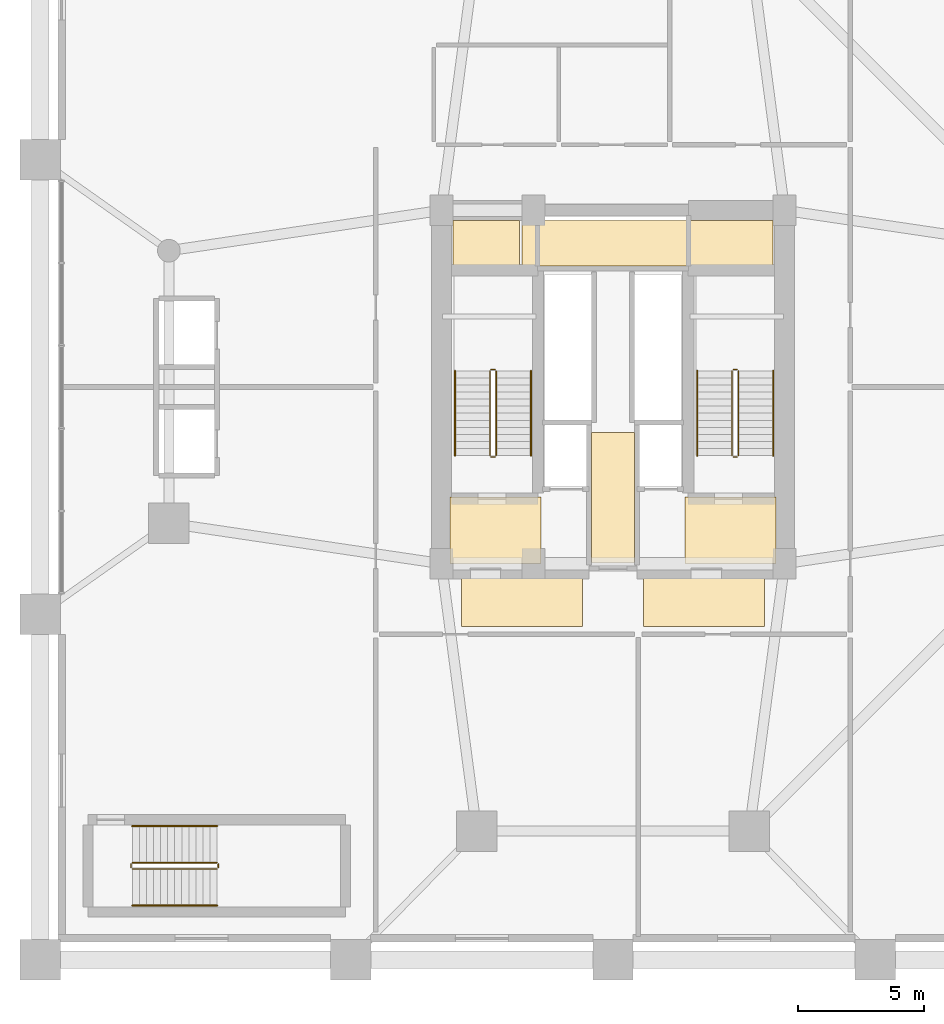
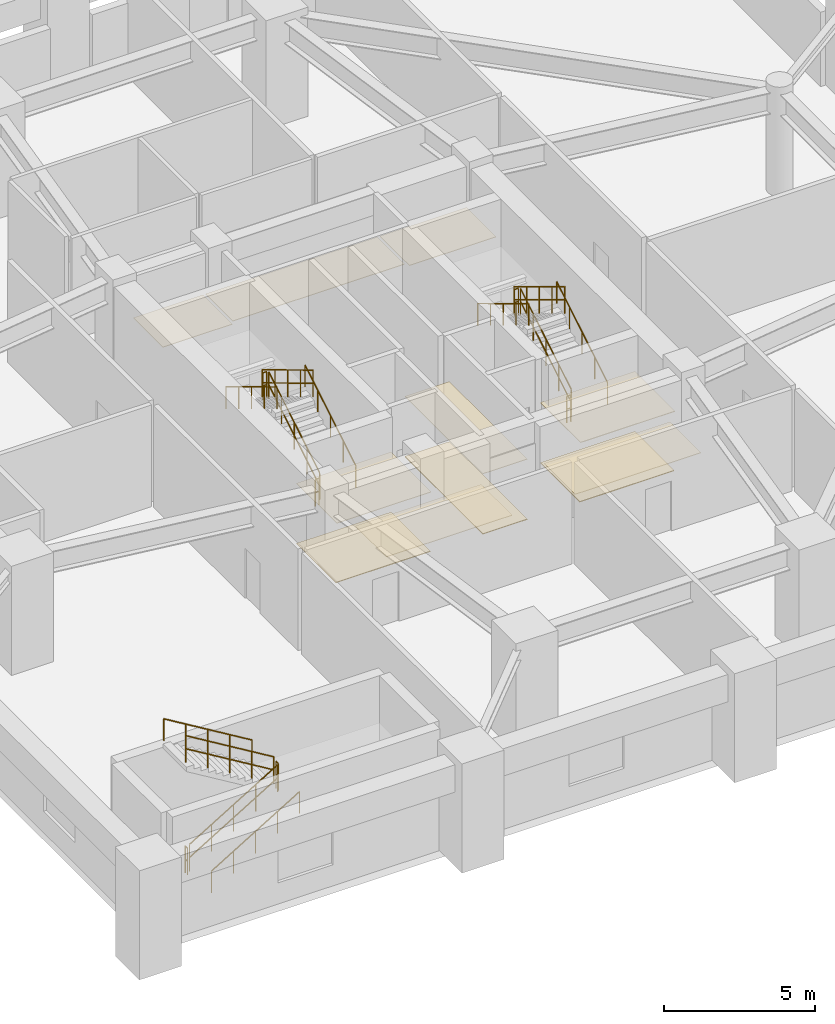
# One storey, part 19 of 22: 18 railings, 11 coverings.
"""IFC4 building model written with IfcOpenShell, lengths in metres."""

from ifc_helpers import new_model, si_unit, direction, frame, origin, origin_2d, place, context, subcontext, project, spatial, polyline, circle, outline, extrude, material, layer, layer_set, type_object, element, save


model = new_model("IFC4")

# Units and contexts
model_context = context("Model", 3, precision=1e-05, world=origin(), true_north=direction((0.0, 1.0)))
body_context = subcontext(model_context, "Body", "Model", "MODEL_VIEW")
ifc_project = project(units=[si_unit("LENGTHUNIT", "METRE"), si_unit("AREAUNIT", "SQUARE_METRE"), si_unit("VOLUMEUNIT", "CUBIC_METRE"), si_unit("PLANEANGLEUNIT", "RADIAN"), si_unit("MASSUNIT", "GRAM", prefix="KILO")], contexts=[model_context])

# Site, building, storey
site_placement = place(None, origin())
site = spatial("IfcSite", under=ifc_project, at=site_placement, CompositionType="ELEMENT")
building_placement = place(site_placement, origin())
building = spatial("IfcBuilding", under=site, at=building_placement, Name="Veraguas Prism Commons", CompositionType="ELEMENT")
storey_placement = place(building_placement, frame((0.0, 0.0, 5.199951171875)))
storey = spatial("IfcBuildingStorey", under=building, at=storey_placement, Name="L01", CompositionType="ELEMENT", Elevation=5.199951171875)

# Coverings
ifc_material_1 = material(Name="Acoustic gypsum board")
ifc_layer_1 = layer(ifc_material_1, 0.02490234375, Name="Perforated Acoustic Ceiling Tile 25")
ifc_layer_set_1 = layer_set([ifc_layer_1], Name="Acoustic gypsum board")
covering_type_1 = type_object("IfcCoveringType", Name="Perforated Acoustic Ceiling Tile 25", PredefinedType="USERDEFINED", material=ifc_layer_set_1)
covering_1_placement = place(storey_placement, frame((0.0, 0.0, 2.425048828125)))
element("IfcCovering", 1, at=covering_1_placement, inside=storey, type_object=covering_type_1, Name="East Lobby Acoustic Ceiling L01", ObjectType="ACOUSTIC CEILING", PredefinedType="USERDEFINED", context=body_context, shape_type="SweptSolid", body=[
    extrude(outline(polyline([(26.85009765625, 17.0), (30.449951171875, 17.0), (30.449951171875, 19.64990234375), (26.85009765625, 19.64990234375), (26.85009765625, 17.0)])), origin(), (0.0, 0.0, 1.0), 0.02490234375),
])
ifc_material_2 = material(Name="Terrazzo stone finish", Category="masonry")
ifc_layer_2 = layer(ifc_material_2, 0.030029296875, Name="Polished Terrazzo Floor Finish 30", Category="masonry")
ifc_layer_set_2 = layer_set([ifc_layer_2], Name="Terrazzo stone finish")
covering_type_2 = type_object("IfcCoveringType", Name="Polished Terrazzo Floor Finish 30", PredefinedType="FLOORING", material=ifc_layer_set_2)
covering_2_placement = place(storey_placement, origin())
element("IfcCovering", 2, at=covering_2_placement, inside=storey, type_object=covering_type_2, Name="Terrazzo Lobby Flooring L01", PredefinedType="FLOORING", context=body_context, shape_type="SweptSolid", body=[
    extrude(outline(polyline([(23.14990234375, 17.050048828125), (24.85009765625, 17.050048828125), (24.85009765625, 22.199951171875), (23.14990234375, 22.199951171875), (23.14990234375, 17.050048828125)])), origin(), (0.0, 0.0, 1.0), 0.030029296875),
])
covering_3_placement = place(storey_placement, origin())
element("IfcCovering", 3, at=covering_3_placement, inside=storey, type_object=covering_type_2, Name="West FF Lobby Terrazzo Flooring L01", PredefinedType="FLOORING", context=body_context, shape_type="SweptSolid", body=[
    extrude(outline(polyline([(17.550048828125, 17.050048828125), (21.14990234375, 17.050048828125), (21.14990234375, 19.64990234375), (17.550048828125, 19.64990234375), (17.550048828125, 17.050048828125)])), origin(), (0.0, 0.0, 1.0), 0.030029296875),
])
covering_4_placement = place(storey_placement, origin())
element("IfcCovering", 4, at=covering_4_placement, inside=storey, type_object=covering_type_2, Name="East FF Lobby Terrazzo Flooring L01", PredefinedType="FLOORING", context=body_context, shape_type="SweptSolid", body=[
    extrude(outline(polyline([(26.85009765625, 17.050048828125), (30.449951171875, 17.050048828125), (30.449951171875, 19.64990234375), (26.85009765625, 19.64990234375), (26.85009765625, 17.050048828125)])), origin(), (0.0, 0.0, 1.0), 0.030029296875),
])

# Railings
ifc_material_3 = material(Name="Stainless steel AISI 316", Category="steel")
railing_type_1 = type_object("IfcRailingType", Name="Stair and Ramp Stainless Handrail 900", PredefinedType="HANDRAIL", material=ifc_material_3)
railing_1_placement = place(storey_placement, frame((20.75, 21.280029296875, 0.169189453125)))
element("IfcRailing", 5, at=railing_1_placement, inside=storey, type_object=railing_type_1, Name="Stair Handrail ST-01 L01-1", PredefinedType="HANDRAIL", context=body_context, shape_type="SweptSolid", body=[
    extrude(circle(Radius=0.02392578125, at=origin_2d()), frame((0.0, 0.0, 0.8759765625), z_axis=(0.0, 0.855820338506, 0.51727318527), x_axis=(-1.0, 0.0, 0.0)), (0.0, 0.0, 1.0), 3.92578125),
    extrude(circle(Radius=0.02099609375, at=origin_2d()), origin(), (0.0, 0.0, 1.0), 0.851806640625),
    extrude(circle(Radius=0.02099609375, at=origin_2d()), frame((0.0, 0.83984375, 0.5078125)), (0.0, 0.0, 1.0), 0.851806640625),
    extrude(circle(Radius=0.02099609375, at=origin_2d()), frame((0.0, 1.679931640625, 1.015380859375)), (0.0, 0.0, 1.0), 0.851806640625),
    extrude(circle(Radius=0.02099609375, at=origin_2d()), frame((0.0, 2.52001953125, 1.52294921875)), (0.0, 0.0, 1.0), 0.851806640625),
    extrude(circle(Radius=0.02099609375, at=origin_2d()), frame((0.0, 3.35986328125, 2.03076171875)), (0.0, 0.0, 1.0), 0.851806640625),
])
railing_2_placement = place(storey_placement, frame((17.739990234375, 24.639892578125, 2.369384765625)))
element("IfcRailing", 6, at=railing_2_placement, inside=storey, type_object=railing_type_1, Name="Stair Handrail ST-01 L01-2", PredefinedType="HANDRAIL", context=body_context, shape_type="SweptSolid", body=[
    extrude(circle(Radius=0.02392578125, at=origin_2d()), frame((0.0, 0.0, 0.8759765625), z_axis=(0.0, -0.855820338506, 0.51727318527), x_axis=(1.0, 0.0, 0.0)), (0.0, 0.0, 1.0), 3.92578125),
    extrude(circle(Radius=0.02099609375, at=origin_2d()), origin(), (0.0, 0.0, 1.0), 0.851806640625),
    extrude(circle(Radius=0.02099609375, at=origin_2d()), frame((0.0, -0.83984375, 0.5078125)), (0.0, 0.0, 1.0), 0.851806640625),
    extrude(circle(Radius=0.02099609375, at=origin_2d()), frame((0.0, -1.679931640625, 1.015380859375)), (0.0, 0.0, 1.0), 0.851806640625),
    extrude(circle(Radius=0.02099609375, at=origin_2d()), frame((0.0, -2.52001953125, 1.52294921875)), (0.0, 0.0, 1.0), 0.851806640625),
    extrude(circle(Radius=0.02099609375, at=origin_2d()), frame((0.0, -3.35986328125, 2.03076171875)), (0.0, 0.0, 1.0), 0.851806640625),
])
railing_3_placement = place(storey_placement, frame((30.35009765625, 21.280029296875, 0.169189453125)))
element("IfcRailing", 7, at=railing_3_placement, inside=storey, type_object=railing_type_1, Name="Stair Handrail ST-02 L01-1", PredefinedType="HANDRAIL", context=body_context, shape_type="SweptSolid", body=[
    extrude(circle(Radius=0.02392578125, at=origin_2d()), frame((0.0, 0.0, 0.8759765625), z_axis=(0.0, 0.855820338506, 0.51727318527), x_axis=(-1.0, 0.0, 0.0)), (0.0, 0.0, 1.0), 3.92578125),
    extrude(circle(Radius=0.02099609375, at=origin_2d()), origin(), (0.0, 0.0, 1.0), 0.851806640625),
    extrude(circle(Radius=0.02099609375, at=origin_2d()), frame((0.0, 0.83984375, 0.5078125)), (0.0, 0.0, 1.0), 0.851806640625),
    extrude(circle(Radius=0.02099609375, at=origin_2d()), frame((0.0, 1.679931640625, 1.015380859375)), (0.0, 0.0, 1.0), 0.851806640625),
    extrude(circle(Radius=0.02099609375, at=origin_2d()), frame((0.0, 2.52001953125, 1.52294921875)), (0.0, 0.0, 1.0), 0.851806640625),
    extrude(circle(Radius=0.02099609375, at=origin_2d()), frame((0.0, 3.35986328125, 2.03076171875)), (0.0, 0.0, 1.0), 0.851806640625),
])
railing_4_placement = place(storey_placement, frame((27.340087890625, 24.639892578125, 2.369384765625)))
element("IfcRailing", 8, at=railing_4_placement, inside=storey, type_object=railing_type_1, Name="Stair Handrail ST-02 L01-2", PredefinedType="HANDRAIL", context=body_context, shape_type="SweptSolid", body=[
    extrude(circle(Radius=0.02392578125, at=origin_2d()), frame((0.0, 0.0, 0.8759765625), z_axis=(0.0, -0.855820338506, 0.51727318527), x_axis=(1.0, 0.0, 0.0)), (0.0, 0.0, 1.0), 3.92578125),
    extrude(circle(Radius=0.02099609375, at=origin_2d()), origin(), (0.0, 0.0, 1.0), 0.851806640625),
    extrude(circle(Radius=0.02099609375, at=origin_2d()), frame((0.0, -0.83984375, 0.5078125)), (0.0, 0.0, 1.0), 0.851806640625),
    extrude(circle(Radius=0.02099609375, at=origin_2d()), frame((0.0, -1.679931640625, 1.015380859375)), (0.0, 0.0, 1.0), 0.851806640625),
    extrude(circle(Radius=0.02099609375, at=origin_2d()), frame((0.0, -2.52001953125, 1.52294921875)), (0.0, 0.0, 1.0), 0.851806640625),
    extrude(circle(Radius=0.02099609375, at=origin_2d()), frame((0.0, -3.35986328125, 2.03076171875)), (0.0, 0.0, 1.0), 0.851806640625),
])
railing_5_placement = place(storey_placement, frame((4.949951171875, 3.449951171875, 0.169189453125)))
element("IfcRailing", 9, at=railing_5_placement, inside=storey, type_object=railing_type_1, Name="Stair Handrail ST-M1 L01-1", PredefinedType="HANDRAIL", context=body_context, shape_type="SweptSolid", body=[
    extrude(circle(Radius=0.02392578125, at=origin_2d()), frame((0.0, 0.0, 0.8759765625), z_axis=(0.855836976705, 0.0, 0.517245656632), x_axis=(0.0, 1.0, 0.0)), (0.0, 0.0, 1.0), 3.926025390625),
    extrude(circle(Radius=0.02099609375, at=origin_2d()), origin(), (0.0, 0.0, 1.0), 0.851806640625),
    extrude(circle(Radius=0.02099609375, at=origin_2d()), frame((0.840087890625, 0.0, 0.5078125)), (0.0, 0.0, 1.0), 0.851806640625),
    extrude(circle(Radius=0.02099609375, at=origin_2d()), frame((1.68017578125, 0.0, 1.015380859375)), (0.0, 0.0, 1.0), 0.851806640625),
    extrude(circle(Radius=0.02099609375, at=origin_2d()), frame((2.52001953125, 0.0, 1.52294921875)), (0.0, 0.0, 1.0), 0.851806640625),
    extrude(circle(Radius=0.02099609375, at=origin_2d()), frame((3.360107421875, 0.0, 2.03076171875)), (0.0, 0.0, 1.0), 0.851806640625),
])
railing_6_placement = place(storey_placement, frame((8.31005859375, 6.60009765625, 2.369384765625)))
element("IfcRailing", 10, at=railing_6_placement, inside=storey, type_object=railing_type_1, Name="Stair Handrail ST-M1 L01-2", PredefinedType="HANDRAIL", context=body_context, shape_type="SweptSolid", body=[
    extrude(circle(Radius=0.02392578125, at=origin_2d()), frame((0.0, 0.0, 0.8759765625), z_axis=(-0.855836976705, 0.0, 0.517245656632), x_axis=(0.0, -1.0, 0.0)), (0.0, 0.0, 1.0), 3.926025390625),
    extrude(circle(Radius=0.02099609375, at=origin_2d()), origin(), (0.0, 0.0, 1.0), 0.851806640625),
    extrude(circle(Radius=0.02099609375, at=origin_2d()), frame((-0.840087890625, 0.0, 0.5078125)), (0.0, 0.0, 1.0), 0.851806640625),
    extrude(circle(Radius=0.02099609375, at=origin_2d()), frame((-1.68017578125, 0.0, 1.015380859375)), (0.0, 0.0, 1.0), 0.851806640625),
    extrude(circle(Radius=0.02099609375, at=origin_2d()), frame((-2.52001953125, 0.0, 1.52294921875)), (0.0, 0.0, 1.0), 0.851806640625),
    extrude(circle(Radius=0.02099609375, at=origin_2d()), frame((-3.360107421875, 0.0, 2.03076171875)), (0.0, 0.0, 1.0), 0.851806640625),
])
railing_type_2 = type_object("IfcRailingType", Name="Stairwell Safety Guardrail 1100", PredefinedType="GUARDRAIL", material=ifc_material_3)
railing_7_placement = place(storey_placement, frame((19.3701171875, 21.280029296875, 0.169189453125)))
element("IfcRailing", 11, at=railing_7_placement, inside=storey, type_object=railing_type_2, Name="Stair Guard ST-01 L01-1", PredefinedType="GUARDRAIL", context=body_context, shape_type="SweptSolid", body=[
    extrude(circle(Radius=0.02392578125, at=origin_2d()), frame((0.0, 0.0, 1.076171875), z_axis=(0.0, 0.855820338506, 0.51727318527), x_axis=(-1.0, 0.0, 0.0)), (0.0, 0.0, 1.0), 3.92578125),
    extrude(circle(Radius=0.02392578125, at=origin_2d()), frame((0.0, 0.0, 0.550048828125), z_axis=(0.0, 0.855820338506, 0.51727318527), x_axis=(-1.0, 0.0, 0.0)), (0.0, 0.0, 1.0), 3.92578125),
    extrude(circle(Radius=0.02099609375, at=origin_2d()), origin(), (0.0, 0.0, 1.0), 1.052001953125),
    extrude(circle(Radius=0.02099609375, at=origin_2d()), frame((0.0, 0.83984375, 0.5078125)), (0.0, 0.0, 1.0), 1.052001953125),
    extrude(circle(Radius=0.02099609375, at=origin_2d()), frame((0.0, 1.679931640625, 1.015380859375)), (0.0, 0.0, 1.0), 1.052001953125),
    extrude(circle(Radius=0.02099609375, at=origin_2d()), frame((0.0, 2.52001953125, 1.52294921875)), (0.0, 0.0, 1.0), 1.052001953125),
    extrude(circle(Radius=0.02099609375, at=origin_2d()), frame((0.0, 3.35986328125, 2.03076171875)), (0.0, 0.0, 1.0), 1.052001953125),
])
railing_8_placement = place(storey_placement, frame((19.320068359375, 24.68994140625, 2.199951171875)))
element("IfcRailing", 12, at=railing_8_placement, inside=storey, type_object=railing_type_2, Name="Stair Guard ST-01 L01-2", PredefinedType="GUARDRAIL", context=body_context, shape_type="SweptSolid", body=[
    extrude(circle(Radius=0.02392578125, at=origin_2d()), frame((0.0, 0.0, 1.076171875), z_axis=(-1.0, 0.0, 0.0), x_axis=(0.0, -1.0, 0.0)), (0.0, 0.0, 1.0), 0.150146484375),
    extrude(circle(Radius=0.02392578125, at=origin_2d()), frame((0.0, 0.0, 0.550048828125), z_axis=(-1.0, 0.0, 0.0), x_axis=(0.0, -1.0, 0.0)), (0.0, 0.0, 1.0), 0.150146484375),
    extrude(circle(Radius=0.02099609375, at=origin_2d()), origin(), (0.0, 0.0, 1.0), 1.052001953125),
    extrude(circle(Radius=0.02099609375, at=origin_2d()), frame((-0.150146484375, 0.0, 0.0)), (0.0, 0.0, 1.0), 1.052001953125),
])
railing_9_placement = place(storey_placement, frame((19.1201171875, 24.639892578125, 2.369384765625)))
element("IfcRailing", 13, at=railing_9_placement, inside=storey, type_object=railing_type_2, Name="Stair Guard ST-01 L01-3", PredefinedType="GUARDRAIL", context=body_context, shape_type="SweptSolid", body=[
    extrude(circle(Radius=0.02392578125, at=origin_2d()), frame((0.0, 0.0, 1.076171875), z_axis=(0.0, -0.855820338506, 0.51727318527), x_axis=(1.0, 0.0, 0.0)), (0.0, 0.0, 1.0), 3.92578125),
    extrude(circle(Radius=0.02392578125, at=origin_2d()), frame((0.0, 0.0, 0.550048828125), z_axis=(0.0, -0.855820338506, 0.51727318527), x_axis=(1.0, 0.0, 0.0)), (0.0, 0.0, 1.0), 3.92578125),
    extrude(circle(Radius=0.02099609375, at=origin_2d()), origin(), (0.0, 0.0, 1.0), 1.052001953125),
    extrude(circle(Radius=0.02099609375, at=origin_2d()), frame((0.0, -0.83984375, 0.5078125)), (0.0, 0.0, 1.0), 1.052001953125),
    extrude(circle(Radius=0.02099609375, at=origin_2d()), frame((0.0, -1.679931640625, 1.015380859375)), (0.0, 0.0, 1.0), 1.052001953125),
    extrude(circle(Radius=0.02099609375, at=origin_2d()), frame((0.0, -2.52001953125, 1.52294921875)), (0.0, 0.0, 1.0), 1.052001953125),
    extrude(circle(Radius=0.02099609375, at=origin_2d()), frame((0.0, -3.35986328125, 2.03076171875)), (0.0, 0.0, 1.0), 1.052001953125),
])
railing_10_placement = place(storey_placement, frame((19.320068359375, 21.22998046875, 0.0)))
element("IfcRailing", 14, at=railing_10_placement, inside=storey, type_object=railing_type_2, Name="Stair Guard ST-01 L01-4", PredefinedType="GUARDRAIL", context=body_context, shape_type="SweptSolid", body=[
    extrude(circle(Radius=0.02392578125, at=origin_2d()), frame((0.0, 0.0, 1.076171875), z_axis=(-1.0, 0.0, 0.0), x_axis=(0.0, -1.0, 0.0)), (0.0, 0.0, 1.0), 0.150146484375),
    extrude(circle(Radius=0.02392578125, at=origin_2d()), frame((0.0, 0.0, 0.550048828125), z_axis=(-1.0, 0.0, 0.0), x_axis=(0.0, -1.0, 0.0)), (0.0, 0.0, 1.0), 0.150146484375),
    extrude(circle(Radius=0.02099609375, at=origin_2d()), origin(), (0.0, 0.0, 1.0), 1.052001953125),
    extrude(circle(Radius=0.02099609375, at=origin_2d()), frame((-0.150146484375, 0.0, 0.0)), (0.0, 0.0, 1.0), 1.052001953125),
])
railing_11_placement = place(storey_placement, frame((28.969970703125, 21.280029296875, 0.169189453125)))
element("IfcRailing", 15, at=railing_11_placement, inside=storey, type_object=railing_type_2, Name="Stair Guard ST-02 L01-1", PredefinedType="GUARDRAIL", context=body_context, shape_type="SweptSolid", body=[
    extrude(circle(Radius=0.02392578125, at=origin_2d()), frame((0.0, 0.0, 1.076171875), z_axis=(0.0, 0.855820338506, 0.51727318527), x_axis=(-1.0, 0.0, 0.0)), (0.0, 0.0, 1.0), 3.92578125),
    extrude(circle(Radius=0.02392578125, at=origin_2d()), frame((0.0, 0.0, 0.550048828125), z_axis=(0.0, 0.855820338506, 0.51727318527), x_axis=(-1.0, 0.0, 0.0)), (0.0, 0.0, 1.0), 3.92578125),
    extrude(circle(Radius=0.02099609375, at=origin_2d()), origin(), (0.0, 0.0, 1.0), 1.052001953125),
    extrude(circle(Radius=0.02099609375, at=origin_2d()), frame((0.0, 0.83984375, 0.5078125)), (0.0, 0.0, 1.0), 1.052001953125),
    extrude(circle(Radius=0.02099609375, at=origin_2d()), frame((0.0, 1.679931640625, 1.015380859375)), (0.0, 0.0, 1.0), 1.052001953125),
    extrude(circle(Radius=0.02099609375, at=origin_2d()), frame((0.0, 2.52001953125, 1.52294921875)), (0.0, 0.0, 1.0), 1.052001953125),
    extrude(circle(Radius=0.02099609375, at=origin_2d()), frame((0.0, 3.35986328125, 2.03076171875)), (0.0, 0.0, 1.0), 1.052001953125),
])
railing_12_placement = place(storey_placement, frame((28.919921875, 24.68994140625, 2.199951171875)))
element("IfcRailing", 16, at=railing_12_placement, inside=storey, type_object=railing_type_2, Name="Stair Guard ST-02 L01-2", PredefinedType="GUARDRAIL", context=body_context, shape_type="SweptSolid", body=[
    extrude(circle(Radius=0.02392578125, at=origin_2d()), frame((0.0, 0.0, 1.076171875), z_axis=(-1.0, 0.0, 0.0), x_axis=(0.0, -1.0, 0.0)), (0.0, 0.0, 1.0), 0.14990234375),
    extrude(circle(Radius=0.02392578125, at=origin_2d()), frame((0.0, 0.0, 0.550048828125), z_axis=(-1.0, 0.0, 0.0), x_axis=(0.0, -1.0, 0.0)), (0.0, 0.0, 1.0), 0.14990234375),
    extrude(circle(Radius=0.02099609375, at=origin_2d()), origin(), (0.0, 0.0, 1.0), 1.052001953125),
    extrude(circle(Radius=0.02099609375, at=origin_2d()), frame((-0.14990234375, 0.0, 0.0)), (0.0, 0.0, 1.0), 1.052001953125),
])
railing_13_placement = place(storey_placement, frame((28.719970703125, 24.639892578125, 2.369384765625)))
element("IfcRailing", 17, at=railing_13_placement, inside=storey, type_object=railing_type_2, Name="Stair Guard ST-02 L01-3", PredefinedType="GUARDRAIL", context=body_context, shape_type="SweptSolid", body=[
    extrude(circle(Radius=0.02392578125, at=origin_2d()), frame((0.0, 0.0, 1.076171875), z_axis=(0.0, -0.855820338506, 0.51727318527), x_axis=(1.0, 0.0, 0.0)), (0.0, 0.0, 1.0), 3.92578125),
    extrude(circle(Radius=0.02392578125, at=origin_2d()), frame((0.0, 0.0, 0.550048828125), z_axis=(0.0, -0.855820338506, 0.51727318527), x_axis=(1.0, 0.0, 0.0)), (0.0, 0.0, 1.0), 3.92578125),
    extrude(circle(Radius=0.02099609375, at=origin_2d()), origin(), (0.0, 0.0, 1.0), 1.052001953125),
    extrude(circle(Radius=0.02099609375, at=origin_2d()), frame((0.0, -0.83984375, 0.5078125)), (0.0, 0.0, 1.0), 1.052001953125),
    extrude(circle(Radius=0.02099609375, at=origin_2d()), frame((0.0, -1.679931640625, 1.015380859375)), (0.0, 0.0, 1.0), 1.052001953125),
    extrude(circle(Radius=0.02099609375, at=origin_2d()), frame((0.0, -2.52001953125, 1.52294921875)), (0.0, 0.0, 1.0), 1.052001953125),
    extrude(circle(Radius=0.02099609375, at=origin_2d()), frame((0.0, -3.35986328125, 2.03076171875)), (0.0, 0.0, 1.0), 1.052001953125),
])
railing_14_placement = place(storey_placement, frame((28.919921875, 21.22998046875, 0.0)))
element("IfcRailing", 18, at=railing_14_placement, inside=storey, type_object=railing_type_2, Name="Stair Guard ST-02 L01-4", PredefinedType="GUARDRAIL", context=body_context, shape_type="SweptSolid", body=[
    extrude(circle(Radius=0.02392578125, at=origin_2d()), frame((0.0, 0.0, 1.076171875), z_axis=(-1.0, 0.0, 0.0), x_axis=(0.0, -1.0, 0.0)), (0.0, 0.0, 1.0), 0.14990234375),
    extrude(circle(Radius=0.02392578125, at=origin_2d()), frame((0.0, 0.0, 0.550048828125), z_axis=(-1.0, 0.0, 0.0), x_axis=(0.0, -1.0, 0.0)), (0.0, 0.0, 1.0), 0.14990234375),
    extrude(circle(Radius=0.02099609375, at=origin_2d()), origin(), (0.0, 0.0, 1.0), 1.052001953125),
    extrude(circle(Radius=0.02099609375, at=origin_2d()), frame((-0.14990234375, 0.0, 0.0)), (0.0, 0.0, 1.0), 1.052001953125),
])
railing_15_placement = place(storey_placement, frame((4.949951171875, 4.89990234375, 0.169189453125)))
element("IfcRailing", 19, at=railing_15_placement, inside=storey, type_object=railing_type_2, Name="Stair Guard ST-M1 L01-1", PredefinedType="GUARDRAIL", context=body_context, shape_type="SweptSolid", body=[
    extrude(circle(Radius=0.02392578125, at=origin_2d()), frame((0.0, 0.0, 1.076171875), z_axis=(0.855836976705, 0.0, 0.517245656632), x_axis=(0.0, 1.0, 0.0)), (0.0, 0.0, 1.0), 3.926025390625),
    extrude(circle(Radius=0.02392578125, at=origin_2d()), frame((0.0, 0.0, 0.550048828125), z_axis=(0.855836976705, 0.0, 0.517245656632), x_axis=(0.0, 1.0, 0.0)), (0.0, 0.0, 1.0), 3.926025390625),
    extrude(circle(Radius=0.02099609375, at=origin_2d()), origin(), (0.0, 0.0, 1.0), 1.052001953125),
    extrude(circle(Radius=0.02099609375, at=origin_2d()), frame((0.840087890625, 0.0, 0.5078125)), (0.0, 0.0, 1.0), 1.052001953125),
    extrude(circle(Radius=0.02099609375, at=origin_2d()), frame((1.68017578125, 0.0, 1.015380859375)), (0.0, 0.0, 1.0), 1.052001953125),
    extrude(circle(Radius=0.02099609375, at=origin_2d()), frame((2.52001953125, 0.0, 1.52294921875)), (0.0, 0.0, 1.0), 1.052001953125),
    extrude(circle(Radius=0.02099609375, at=origin_2d()), frame((3.360107421875, 0.0, 2.03076171875)), (0.0, 0.0, 1.0), 1.052001953125),
])
railing_16_placement = place(storey_placement, frame((8.360107421875, 4.949951171875, 2.199951171875)))
element("IfcRailing", 20, at=railing_16_placement, inside=storey, type_object=railing_type_2, Name="Stair Guard ST-M1 L01-2", PredefinedType="GUARDRAIL", context=body_context, shape_type="SweptSolid", body=[
    extrude(circle(Radius=0.02392578125, at=origin_2d()), frame((0.0, 0.0, 1.076171875), z_axis=(0.0, 1.0, 0.0), x_axis=(-1.0, 0.0, 0.0)), (0.0, 0.0, 1.0), 0.150146484375),
    extrude(circle(Radius=0.02392578125, at=origin_2d()), frame((0.0, 0.0, 0.550048828125), z_axis=(0.0, 1.0, 0.0), x_axis=(-1.0, 0.0, 0.0)), (0.0, 0.0, 1.0), 0.150146484375),
    extrude(circle(Radius=0.02099609375, at=origin_2d()), origin(), (0.0, 0.0, 1.0), 1.052001953125),
    extrude(circle(Radius=0.02099609375, at=origin_2d()), frame((0.0, 0.150146484375, 0.0)), (0.0, 0.0, 1.0), 1.052001953125),
])
railing_17_placement = place(storey_placement, frame((8.31005859375, 5.14990234375, 2.369384765625)))
element("IfcRailing", 21, at=railing_17_placement, inside=storey, type_object=railing_type_2, Name="Stair Guard ST-M1 L01-3", PredefinedType="GUARDRAIL", context=body_context, shape_type="SweptSolid", body=[
    extrude(circle(Radius=0.02392578125, at=origin_2d()), frame((0.0, 0.0, 1.076171875), z_axis=(-0.855836976705, 0.0, 0.517245656632), x_axis=(0.0, -1.0, 0.0)), (0.0, 0.0, 1.0), 3.926025390625),
    extrude(circle(Radius=0.02392578125, at=origin_2d()), frame((0.0, 0.0, 0.550048828125), z_axis=(-0.855836976705, 0.0, 0.517245656632), x_axis=(0.0, -1.0, 0.0)), (0.0, 0.0, 1.0), 3.926025390625),
    extrude(circle(Radius=0.02099609375, at=origin_2d()), origin(), (0.0, 0.0, 1.0), 1.052001953125),
    extrude(circle(Radius=0.02099609375, at=origin_2d()), frame((-0.840087890625, 0.0, 0.5078125)), (0.0, 0.0, 1.0), 1.052001953125),
    extrude(circle(Radius=0.02099609375, at=origin_2d()), frame((-1.68017578125, 0.0, 1.015380859375)), (0.0, 0.0, 1.0), 1.052001953125),
    extrude(circle(Radius=0.02099609375, at=origin_2d()), frame((-2.52001953125, 0.0, 1.52294921875)), (0.0, 0.0, 1.0), 1.052001953125),
    extrude(circle(Radius=0.02099609375, at=origin_2d()), frame((-3.360107421875, 0.0, 2.03076171875)), (0.0, 0.0, 1.0), 1.052001953125),
])
railing_18_placement = place(storey_placement, frame((4.89990234375, 4.949951171875, 0.0)))
element("IfcRailing", 22, at=railing_18_placement, inside=storey, type_object=railing_type_2, Name="Stair Guard ST-M1 L01-4", PredefinedType="GUARDRAIL", context=body_context, shape_type="SweptSolid", body=[
    extrude(circle(Radius=0.02392578125, at=origin_2d()), frame((0.0, 0.0, 1.076171875), z_axis=(0.0, 1.0, 0.0), x_axis=(-1.0, 0.0, 0.0)), (0.0, 0.0, 1.0), 0.150146484375),
    extrude(circle(Radius=0.02392578125, at=origin_2d()), frame((0.0, 0.0, 0.550048828125), z_axis=(0.0, 1.0, 0.0), x_axis=(-1.0, 0.0, 0.0)), (0.0, 0.0, 1.0), 0.150146484375),
    extrude(circle(Radius=0.02099609375, at=origin_2d()), origin(), (0.0, 0.0, 1.0), 1.052001953125),
    extrude(circle(Radius=0.02099609375, at=origin_2d()), frame((0.0, 0.150146484375, 0.0)), (0.0, 0.0, 1.0), 1.052001953125),
])

# Coverings
ifc_layer_3 = layer(ifc_material_1, 0.02001953125, Name="Suspended Gypsum Ceiling 20")
ifc_layer_set_3 = layer_set([ifc_layer_3], Name="Acoustic gypsum board")
covering_type_3 = type_object("IfcCoveringType", Name="Suspended Gypsum Ceiling 20", PredefinedType="CEILING", material=ifc_layer_set_3)
covering_5_placement = place(storey_placement, frame((0.0, 0.0, 2.429931640625)))
element("IfcCovering", 23, at=covering_5_placement, inside=storey, type_object=covering_type_3, Name="West Lobby Suspended Gypsum Ceiling L01", PredefinedType="CEILING", context=body_context, shape_type="SweptSolid", body=[
    extrude(outline(polyline([(17.550048828125, 17.0), (21.14990234375, 17.0), (21.14990234375, 19.64990234375), (17.550048828125, 19.64990234375), (17.550048828125, 17.0)])), origin(), (0.0, 0.0, 1.0), 0.02001953125),
])
covering_6_placement = place(storey_placement, frame((0.0, 0.0, 2.429931640625)))
element("IfcCovering", 24, at=covering_6_placement, inside=storey, type_object=covering_type_3, Name="Core Lobby Acoustic Ceiling L01-1", PredefinedType="CEILING", context=body_context, shape_type="SweptSolid", body=[
    extrude(outline(polyline([(18.0, 14.5), (22.800048828125, 14.5), (22.800048828125, 16.550048828125), (18.0, 16.550048828125), (18.0, 14.5)])), origin(), (0.0, 0.0, 1.0), 0.02001953125),
])
covering_7_placement = place(storey_placement, frame((0.0, 0.0, 2.429931640625)))
element("IfcCovering", 25, at=covering_7_placement, inside=storey, type_object=covering_type_3, Name="Core Lobby Acoustic Ceiling L01-2", PredefinedType="CEILING", context=body_context, shape_type="SweptSolid", body=[
    extrude(outline(polyline([(25.199951171875, 14.5), (30.0, 14.5), (30.0, 16.550048828125), (25.199951171875, 16.550048828125), (25.199951171875, 14.5)])), origin(), (0.0, 0.0, 1.0), 0.02001953125),
])
covering_8_placement = place(storey_placement, frame((0.0, 0.0, 2.429931640625)))
element("IfcCovering", 26, at=covering_8_placement, inside=storey, type_object=covering_type_3, Name="Core Lobby Acoustic Ceiling L01-3", PredefinedType="CEILING", context=body_context, shape_type="SweptSolid", body=[
    extrude(outline(polyline([(23.14990234375, 17.050048828125), (24.85009765625, 17.050048828125), (24.85009765625, 22.199951171875), (23.14990234375, 22.199951171875), (23.14990234375, 17.050048828125)])), origin(), (0.0, 0.0, 1.0), 0.02001953125),
])
covering_9_placement = place(storey_placement, frame((0.0, 0.0, 2.429931640625)))
element("IfcCovering", 27, at=covering_9_placement, inside=storey, type_object=covering_type_3, Name="Core Lobby Acoustic Ceiling L01-4", PredefinedType="CEILING", context=body_context, shape_type="SweptSolid", body=[
    extrude(outline(polyline([(17.64990234375, 28.64990234375), (20.300048828125, 28.64990234375), (20.300048828125, 30.60009765625), (17.64990234375, 30.60009765625), (17.64990234375, 28.64990234375)])), origin(), (0.0, 0.0, 1.0), 0.02001953125),
])
covering_10_placement = place(storey_placement, frame((0.0, 0.0, 2.429931640625)))
element("IfcCovering", 28, at=covering_10_placement, inside=storey, type_object=covering_type_3, Name="Core Lobby Acoustic Ceiling L01-5", PredefinedType="CEILING", context=body_context, shape_type="SweptSolid", body=[
    extrude(outline(polyline([(27.050048828125, 28.64990234375), (30.35009765625, 28.64990234375), (30.35009765625, 30.60009765625), (27.050048828125, 30.60009765625), (27.050048828125, 28.64990234375)])), origin(), (0.0, 0.0, 1.0), 0.02001953125),
])
covering_11_placement = place(storey_placement, frame((0.0, 0.0, 2.429931640625)))
element("IfcCovering", 29, at=covering_11_placement, inside=storey, type_object=covering_type_3, Name="Core Lobby Acoustic Ceiling L01-6", PredefinedType="CEILING", context=body_context, shape_type="SweptSolid", body=[
    extrude(outline(polyline([(20.39990234375, 28.800048828125), (26.949951171875, 28.800048828125), (26.949951171875, 30.60009765625), (20.39990234375, 30.60009765625), (20.39990234375, 28.800048828125)])), origin(), (0.0, 0.0, 1.0), 0.02001953125),
])

save(model, "model.ifc")
